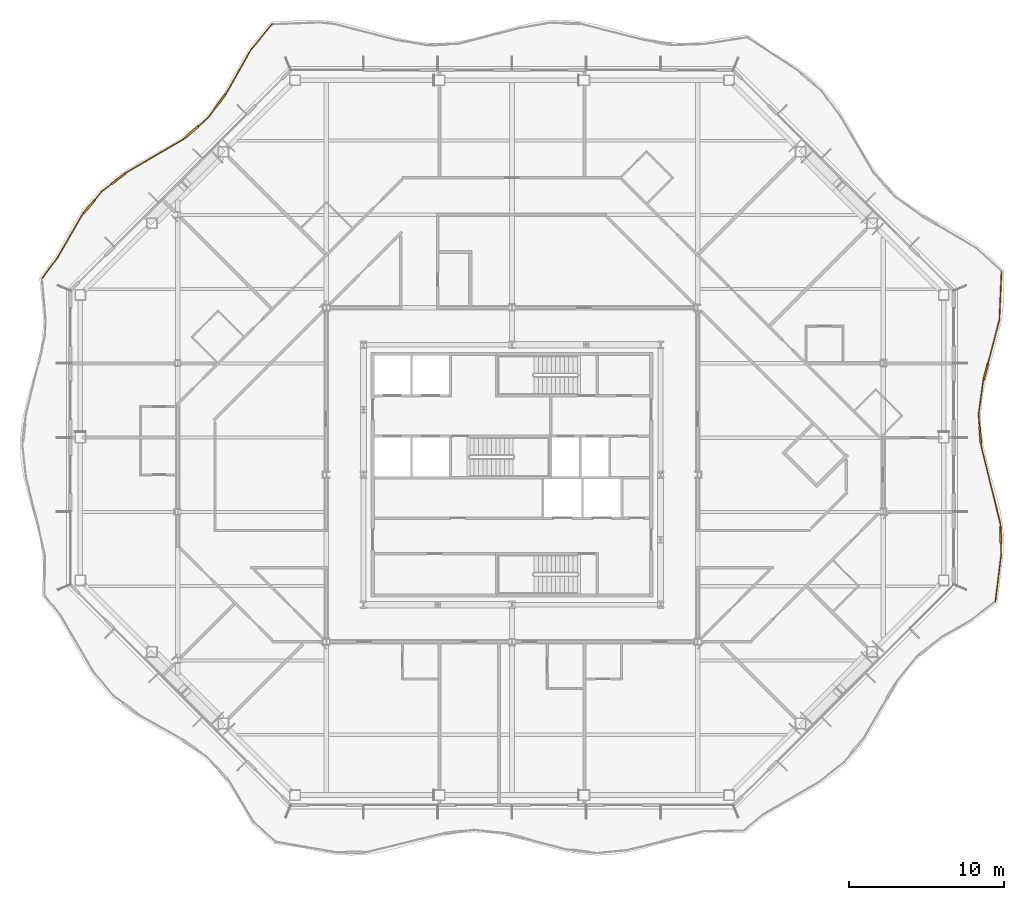
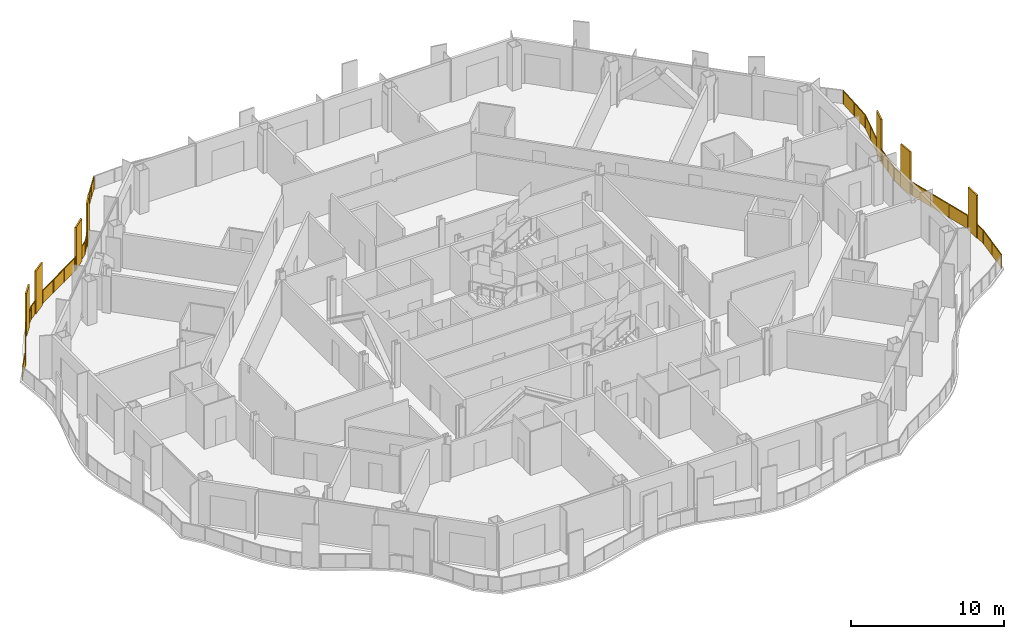
# One storey, part 19 of 21: 2 railings.
"""IFC4 building model written with IfcOpenShell, lengths in metres."""

from ifc_helpers import new_model, si_unit, direction, frame, origin, origin_2d, place, context, subcontext, project, spatial, polyline, rectangle, outline, extrude, material, type_object, element, save


model = new_model("IFC4")

# Units and contexts
model_context = context("Model", 3, precision=1e-05, world=origin(), true_north=direction((0.0, 1.0)))
body_context = subcontext(model_context, "Body", "Model", "MODEL_VIEW")
ifc_project = project(units=[si_unit("LENGTHUNIT", "METRE"), si_unit("AREAUNIT", "SQUARE_METRE"), si_unit("VOLUMEUNIT", "CUBIC_METRE"), si_unit("PLANEANGLEUNIT", "RADIAN"), si_unit("MASSUNIT", "GRAM", prefix="KILO")], contexts=[model_context])

# Site, building, storey
site_placement = place(None, origin())
site = spatial("IfcSite", under=ifc_project, at=site_placement, CompositionType="ELEMENT")
building_placement = place(site_placement, origin())
building = spatial("IfcBuilding", under=site, at=building_placement, Name="Cairn Pilgrim Tower", CompositionType="ELEMENT")
storey_placement = place(building_placement, frame((0.0, 0.0, 132.60009765625)))
storey = spatial("IfcBuildingStorey", under=building, at=storey_placement, Name="L32", CompositionType="ELEMENT", Elevation=132.60009765625)

# Railings
ifc_material = material(Name="Bronze anodised aluminium rail, posts and fin screens with laminated glass infill", Category="aluminium")
railing_type = type_object("IfcRailingType", Name="BALCONY GUARD WITH FIN SCREENS", PredefinedType="GUARDRAIL", material=ifc_material)
railing_1_placement = place(storey_placement, frame((38.440185546875, -5.787841796875, 0.0)))
element("IfcRailing", 1, at=railing_1_placement, inside=storey, type_object=railing_type, Name="Balcony guard BGF-3 with fin screens", PredefinedType="GUARDRAIL", context=body_context, shape_type="SweptSolid", body=[
    extrude(rectangle(XDim=0.050048828125, YDim=0.050048828125, at=origin_2d()), frame((0.0, 0.0, 1.0751953125), z_axis=(0.122264769297, 0.992497519487, 0.0), x_axis=(-0.992497519487, 0.122264769297, 0.0)), (0.0, 0.0, 1.0), 3.0390625),
    extrude(rectangle(XDim=1.10009765625, YDim=0.110107421875, at=origin_2d()), frame((0.343017578125, 4.310302734375, 0.0), z_axis=(0.0, 0.0, 1.0), x_axis=(-0.022037262675, 0.999757150039, 0.0)), (0.0, 0.0, 1.0), 3.39990234375),
    extrude(rectangle(XDim=0.050048828125, YDim=0.050048828125, at=origin_2d()), frame((0.37158203125, 3.016357421875, 1.0751953125), z_axis=(-0.022037262675, 0.999757150039, 0.0), x_axis=(-0.999757150039, -0.022037262675, 0.0)), (0.0, 0.0, 1.0), 0.744140625),
    extrude(rectangle(XDim=0.050048828125, YDim=0.050048828125, at=origin_2d()), frame((0.3310546875, 4.860107421875, 1.0751953125), z_axis=(-0.022037262675, 0.999757150039, 0.0), x_axis=(-0.999757150039, -0.022037262675, 0.0)), (0.0, 0.0, 1.0), 0.14990234375),
    extrude(rectangle(XDim=0.050048828125, YDim=0.050048828125, at=origin_2d()), frame((0.32763671875, 5.010009765625, 1.0751953125), z_axis=(-0.239949877031, 0.970785278274, 0.0), x_axis=(-0.970785278274, -0.239949877031, 0.0)), (0.0, 0.0, 1.0), 5.2001953125),
    extrude(rectangle(XDim=1.10009765625, YDim=0.110107421875, at=origin_2d()), frame((-0.976806640625, 10.756103515625, 0.0), z_axis=(0.0, 0.0, 1.0), x_axis=(-0.08085412376, 0.996725945619, 0.0)), (0.0, 0.0, 1.0), 3.39990234375),
    extrude(rectangle(XDim=0.050048828125, YDim=0.050048828125, at=origin_2d()), frame((-0.920166015625, 10.058349609375, 1.0751953125), z_axis=(-0.08085412376, 0.996725945619, 0.0), x_axis=(-0.996725945619, -0.08085412376, 0.0)), (0.0, 0.0, 1.0), 0.150146484375),
    extrude(rectangle(XDim=0.050048828125, YDim=0.050048828125, at=origin_2d()), frame((-1.021240234375, 11.30419921875, 1.0751953125), z_axis=(-0.08085412376, 0.996725945619, 0.0), x_axis=(-0.996725945619, -0.08085412376, 0.0)), (0.0, 0.0, 1.0), 0.80615234375),
    extrude(rectangle(XDim=0.050048828125, YDim=0.050048828125, at=origin_2d()), frame((-1.08642578125, 12.10791015625, 1.0751953125), z_axis=(0.137912964875, 0.990444351854, 0.0), x_axis=(-0.990444351854, 0.137912964875, 0.0)), (0.0, 0.0, 1.0), 2.06591796875),
    extrude(rectangle(XDim=1.10009765625, YDim=0.110107421875, at=origin_2d()), frame((-0.620361328125, 14.8447265625, 0.0), z_axis=(0.0, 0.0, 1.0), x_axis=(0.253850909993, 0.967243358983, 0.0)), (0.0, 0.0, 1.0), 3.39990234375),
    extrude(rectangle(XDim=0.050048828125, YDim=0.050048828125, at=origin_2d()), frame((-0.801513671875, 14.154052734375, 1.0751953125), z_axis=(0.253850909993, 0.967243358983, 0.0), x_axis=(-0.967243358983, 0.253850909993, 0.0)), (0.0, 0.0, 1.0), 0.1640625),
    extrude(rectangle(XDim=0.050048828125, YDim=0.050048828125, at=origin_2d()), frame((-0.480712890625, 15.376708984375, 1.0751953125), z_axis=(0.253850909993, 0.967243358983, 0.0), x_axis=(-0.967243358983, 0.253850909993, 0.0)), (0.0, 0.0, 1.0), 2.908203125),
    extrude(rectangle(XDim=0.050048828125, YDim=0.050048828125, at=origin_2d()), frame((0.257568359375, 18.189453125, 1.0751953125), z_axis=(0.044558662059, 0.999006769564, 0.0), x_axis=(-0.999006769564, 0.044558662059, 0.0)), (0.0, 0.0, 1.0), 3.11767578125),
    extrude(rectangle(XDim=0.050048828125, YDim=0.050048828125, at=origin_2d()), origin(), (0.0, 0.0, 1.0), 1.050048828125),
    extrude(rectangle(XDim=0.050048828125, YDim=0.050048828125, at=origin_2d()), frame((0.185791015625, 1.50830078125, 0.0)), (0.0, 0.0, 1.0), 1.050048828125),
    extrude(rectangle(XDim=0.050048828125, YDim=0.050048828125, at=origin_2d()), frame((0.37158203125, 3.016357421875, 0.0)), (0.0, 0.0, 1.0), 1.050048828125),
    extrude(rectangle(XDim=0.050048828125, YDim=0.050048828125, at=origin_2d()), frame((0.355712890625, 3.7353515625, 0.0)), (0.0, 0.0, 1.0), 1.050048828125),
    extrude(rectangle(XDim=0.050048828125, YDim=0.050048828125, at=origin_2d()), frame((0.330322265625, 4.88525390625, 0.0)), (0.0, 0.0, 1.0), 1.050048828125),
    extrude(rectangle(XDim=0.050048828125, YDim=0.050048828125, at=origin_2d()), frame((0.32763671875, 5.010009765625, 0.0)), (0.0, 0.0, 1.0), 1.050048828125),
    extrude(rectangle(XDim=0.050048828125, YDim=0.050048828125, at=origin_2d()), frame((-0.08837890625, 6.69287109375, 0.0)), (0.0, 0.0, 1.0), 1.050048828125),
    extrude(rectangle(XDim=0.050048828125, YDim=0.050048828125, at=origin_2d()), frame((-0.504150390625, 8.37548828125, 0.0)), (0.0, 0.0, 1.0), 1.050048828125),
    extrude(rectangle(XDim=0.050048828125, YDim=0.050048828125, at=origin_2d()), frame((-0.920166015625, 10.058349609375, 0.0)), (0.0, 0.0, 1.0), 1.050048828125),
    extrude(rectangle(XDim=0.050048828125, YDim=0.050048828125, at=origin_2d()), frame((-0.93017578125, 10.182861328125, 0.0)), (0.0, 0.0, 1.0), 1.050048828125),
    extrude(rectangle(XDim=0.050048828125, YDim=0.050048828125, at=origin_2d()), frame((-1.023193359375, 11.329345703125, 0.0)), (0.0, 0.0, 1.0), 1.050048828125),
    extrude(rectangle(XDim=0.050048828125, YDim=0.050048828125, at=origin_2d()), frame((-1.08642578125, 12.10791015625, 0.0)), (0.0, 0.0, 1.0), 1.050048828125),
    extrude(rectangle(XDim=0.050048828125, YDim=0.050048828125, at=origin_2d()), frame((-0.94384765625, 13.130859375, 0.0)), (0.0, 0.0, 1.0), 1.050048828125),
    extrude(rectangle(XDim=0.050048828125, YDim=0.050048828125, at=origin_2d()), frame((-0.801513671875, 14.154052734375, 0.0)), (0.0, 0.0, 1.0), 1.050048828125),
    extrude(rectangle(XDim=0.050048828125, YDim=0.050048828125, at=origin_2d()), frame((-0.766357421875, 14.288330078125, 0.0)), (0.0, 0.0, 1.0), 1.050048828125),
    extrude(rectangle(XDim=0.050048828125, YDim=0.050048828125, at=origin_2d()), frame((-0.474365234375, 15.40087890625, 0.0)), (0.0, 0.0, 1.0), 1.050048828125),
    extrude(rectangle(XDim=0.050048828125, YDim=0.050048828125, at=origin_2d()), frame((-0.1083984375, 16.795166015625, 0.0)), (0.0, 0.0, 1.0), 1.050048828125),
    extrude(rectangle(XDim=0.050048828125, YDim=0.050048828125, at=origin_2d()), frame((0.257568359375, 18.189453125, 0.0)), (0.0, 0.0, 1.0), 1.050048828125),
    extrude(rectangle(XDim=0.050048828125, YDim=0.050048828125, at=origin_2d()), frame((0.3271484375, 19.74658203125, 0.0)), (0.0, 0.0, 1.0), 1.050048828125),
    extrude(rectangle(XDim=0.050048828125, YDim=0.050048828125, at=origin_2d()), frame((0.396484375, 21.303955078125, 0.0)), (0.0, 0.0, 1.0), 1.050048828125),
    extrude(outline(polyline([(0.02490234375, 0.0), (1.49462890625, 0.0), (1.49462890625, 1.050048828125), (0.02490234375, 1.050048828125), (0.02490234375, 0.0)])), frame((-0.005859375, 0.000732421875, 0.0), z_axis=(0.992497519487, -0.122264769297, 0.0), x_axis=(0.122264769297, 0.992497519487, 0.0)), (0.0, 0.0, 1.0), 0.011962890625),
    extrude(outline(polyline([(0.02490234375, 0.0), (1.49462890625, 0.0), (1.49462890625, 1.050048828125), (0.02490234375, 1.050048828125), (0.02490234375, 0.0)])), frame((0.179931640625, 1.5087890625, 0.0), z_axis=(0.992497519487, -0.122264769297, 0.0), x_axis=(0.122264769297, 0.992497519487, 0.0)), (0.0, 0.0, 1.0), 0.011962890625),
    extrude(outline(polyline([(0.02490234375, 0.0), (0.694091796875, 0.0), (0.694091796875, 1.050048828125), (0.02490234375, 1.050048828125), (0.02490234375, 0.0)])), frame((0.36572265625, 3.01611328125, 0.0), z_axis=(0.999757150039, 0.022037262675, 0.0), x_axis=(-0.022037262675, 0.999757150039, 0.0)), (0.0, 0.0, 1.0), 0.011962890625),
    extrude(outline(polyline([(0.02490234375, 0.0), (0.099853515625, 0.0), (0.099853515625, 1.050048828125), (0.02490234375, 1.050048828125), (0.02490234375, 0.0)])), frame((0.324462890625, 4.885009765625, 0.0), z_axis=(0.999757150039, 0.022037262675, 0.0), x_axis=(-0.022037262675, 0.999757150039, 0.0)), (0.0, 0.0, 1.0), 0.011962890625),
    extrude(outline(polyline([(0.02490234375, 0.0), (1.70849609375, 0.0), (1.70849609375, 1.050048828125), (0.02490234375, 1.050048828125), (0.02490234375, 0.0)])), frame((0.32177734375, 5.008544921875, 0.0), z_axis=(0.970785278274, 0.239949877031, 0.0), x_axis=(-0.239949877031, 0.970785278274, 0.0)), (0.0, 0.0, 1.0), 0.011962890625),
    extrude(outline(polyline([(0.02490234375, 0.0), (1.70849609375, 0.0), (1.70849609375, 1.050048828125), (0.02490234375, 1.050048828125), (0.02490234375, 0.0)])), frame((-0.093994140625, 6.69140625, 0.0), z_axis=(0.970785278274, 0.239949877031, 0.0), x_axis=(-0.239949877031, 0.970785278274, 0.0)), (0.0, 0.0, 1.0), 0.011962890625),
    extrude(outline(polyline([(0.02490234375, 0.0), (1.70849609375, 0.0), (1.70849609375, 1.050048828125), (0.02490234375, 1.050048828125), (0.02490234375, 0.0)])), frame((-0.510009765625, 8.3740234375, 0.0), z_axis=(0.970785278274, 0.239949877031, 0.0), x_axis=(-0.239949877031, 0.970785278274, 0.0)), (0.0, 0.0, 1.0), 0.011962890625),
    extrude(outline(polyline([(0.02490234375, 0.0), (0.10009765625, 0.0), (0.10009765625, 1.050048828125), (0.02490234375, 1.050048828125), (0.02490234375, 0.0)])), frame((-0.926025390625, 10.057861328125, 0.0), z_axis=(0.996725945619, 0.08085412376, 0.0), x_axis=(-0.08085412376, 0.996725945619, 0.0)), (0.0, 0.0, 1.0), 0.011962890625),
    extrude(outline(polyline([(0.02490234375, 0.0), (0.756103515625, 0.0), (0.756103515625, 1.050048828125), (0.02490234375, 1.050048828125), (0.02490234375, 0.0)])), frame((-1.029296875, 11.328857421875, 0.0), z_axis=(0.996725945619, 0.08085412376, 0.0), x_axis=(-0.08085412376, 0.996725945619, 0.0)), (0.0, 0.0, 1.0), 0.011962890625),
    extrude(outline(polyline([(0.02490234375, 0.0), (1.0078125, 0.0), (1.0078125, 1.050048828125), (0.02490234375, 1.050048828125), (0.02490234375, 0.0)])), frame((-1.09228515625, 12.108642578125, 0.0), z_axis=(0.990444351854, -0.137912964875, 0.0), x_axis=(0.137912964875, 0.990444351854, 0.0)), (0.0, 0.0, 1.0), 0.011962890625),
    extrude(outline(polyline([(0.02490234375, 0.0), (1.0078125, 0.0), (1.0078125, 1.050048828125), (0.02490234375, 1.050048828125), (0.02490234375, 0.0)])), frame((-0.949951171875, 13.1318359375, 0.0), z_axis=(0.990444351854, -0.137912964875, 0.0), x_axis=(0.137912964875, 0.990444351854, 0.0)), (0.0, 0.0, 1.0), 0.011962890625),
    extrude(outline(polyline([(0.02490234375, 0.0), (0.114013671875, 0.0), (0.114013671875, 1.050048828125), (0.02490234375, 1.050048828125), (0.02490234375, 0.0)])), frame((-0.807373046875, 14.155517578125, 0.0), z_axis=(0.967243358983, -0.253850909993, 0.0), x_axis=(0.253850909993, 0.967243358983, 0.0)), (0.0, 0.0, 1.0), 0.011962890625),
    extrude(outline(polyline([(0.02490234375, 0.0), (1.41650390625, 0.0), (1.41650390625, 1.050048828125), (0.02490234375, 1.050048828125), (0.02490234375, 0.0)])), frame((-0.47998046875, 15.40234375, 0.0), z_axis=(0.967243358983, -0.253850909993, 0.0), x_axis=(0.253850909993, 0.967243358983, 0.0)), (0.0, 0.0, 1.0), 0.011962890625),
    extrude(outline(polyline([(0.02490234375, 0.0), (1.41650390625, 0.0), (1.41650390625, 1.050048828125), (0.02490234375, 1.050048828125), (0.02490234375, 0.0)])), frame((-0.1142578125, 16.796630859375, 0.0), z_axis=(0.967243358983, -0.253850909993, 0.0), x_axis=(0.253850909993, 0.967243358983, 0.0)), (0.0, 0.0, 1.0), 0.011962890625),
    extrude(outline(polyline([(0.02490234375, 0.0), (1.53369140625, 0.0), (1.53369140625, 1.050048828125), (0.02490234375, 1.050048828125), (0.02490234375, 0.0)])), frame((0.251708984375, 18.189697265625, 0.0), z_axis=(0.999006769564, -0.044558662059, 0.0), x_axis=(0.044558662059, 0.999006769564, 0.0)), (0.0, 0.0, 1.0), 0.011962890625),
    extrude(outline(polyline([(0.02490234375, 0.0), (1.53369140625, 0.0), (1.53369140625, 1.050048828125), (0.02490234375, 1.050048828125), (0.02490234375, 0.0)])), frame((0.321044921875, 19.7470703125, 0.0), z_axis=(0.999006769564, -0.044558662059, 0.0), x_axis=(0.044558662059, 0.999006769564, 0.0)), (0.0, 0.0, 1.0), 0.011962890625),
])
railing_2_placement = place(storey_placement, frame((-8.3154296875, 31.521484375, 0.0)))
element("IfcRailing", 2, at=railing_2_placement, inside=storey, type_object=railing_type, Name="Balcony guard BGF-6 with fin screens", PredefinedType="GUARDRAIL", context=body_context, shape_type="SweptSolid", body=[
    extrude(rectangle(XDim=0.050048828125, YDim=0.050048828125, at=origin_2d()), frame((0.0, 0.0, 1.0751953125), z_axis=(-0.635587081674, -0.772029184428, 0.0), x_axis=(0.772029184428, -0.635587081674, 0.0)), (0.0, 0.0, 1.0), 2.136474609375),
    extrude(rectangle(XDim=0.050048828125, YDim=0.050048828125, at=origin_2d()), frame((-1.35791015625, -1.6494140625, 1.0751953125), z_axis=(-0.492613647027, -0.870248122527, 0.0), x_axis=(0.870248122527, -0.492613647027, 0.0)), (0.0, 0.0, 1.0), 3.166015625),
    extrude(rectangle(XDim=1.10009765625, YDim=0.110107421875, at=origin_2d()), frame((-3.334716796875, -4.966552734375, 0.0), z_axis=(0.0, 0.0, 1.0), x_axis=(-0.596075972165, -0.802928038748, 0.0)), (0.0, 0.0, 1.0), 3.39990234375),
    extrude(rectangle(XDim=0.050048828125, YDim=0.050048828125, at=origin_2d()), frame((-2.91748046875, -4.404541015625, 1.0751953125), z_axis=(-0.596075972165, -0.802928038748, 0.0), x_axis=(0.802928038748, -0.596075972165, 0.0)), (0.0, 0.0, 1.0), 0.14990234375),
    extrude(rectangle(XDim=0.050048828125, YDim=0.050048828125, at=origin_2d()), frame((-3.66259765625, -5.408203125, 1.0751953125), z_axis=(-0.596075972165, -0.802928038748, 0.0), x_axis=(0.802928038748, -0.596075972165, 0.0)), (0.0, 0.0, 1.0), 0.834228515625),
    extrude(rectangle(XDim=1.10009765625, YDim=0.110107421875, at=origin_2d()), frame((-5.198486328125, -6.97509765625, 0.0), z_axis=(0.0, 0.0, 1.0), x_axis=(-0.756823007769, -0.653619870346, 0.0)), (0.0, 0.0, 1.0), 3.39990234375),
    extrude(rectangle(XDim=0.050048828125, YDim=0.050048828125, at=origin_2d()), frame((-4.159912109375, -6.078125, 1.0751953125), z_axis=(-0.756823007769, -0.653619870346, 0.0), x_axis=(0.653619870346, -0.756823007769, 0.0)), (0.0, 0.0, 1.0), 0.822265625),
    extrude(rectangle(XDim=0.050048828125, YDim=0.050048828125, at=origin_2d()), frame((-5.61474609375, -7.334716796875, 1.0751953125), z_axis=(-0.756823007769, -0.653619870346, 0.0), x_axis=(0.653619870346, -0.756823007769, 0.0)), (0.0, 0.0, 1.0), 0.14990234375),
    extrude(rectangle(XDim=0.050048828125, YDim=0.050048828125, at=origin_2d()), frame((-5.728271484375, -7.4326171875, 1.0751953125), z_axis=(-0.86343419487, -0.50446148627, 0.0), x_axis=(0.50446148627, -0.86343419487, 0.0)), (0.0, 0.0, 1.0), 4.21533203125),
    extrude(rectangle(XDim=1.10009765625, YDim=0.110107421875, at=origin_2d()), frame((-9.924072265625, -9.984130859375, 0.0), z_axis=(0.0, 0.0, 1.0), x_axis=(-0.794508106718, -0.607253545365, 0.0)), (0.0, 0.0, 1.0), 3.39990234375),
    extrude(rectangle(XDim=0.050048828125, YDim=0.050048828125, at=origin_2d()), frame((-9.367919921875, -9.55908203125, 1.0751953125), z_axis=(-0.794508106718, -0.607253545365, 0.0), x_axis=(0.607253545365, -0.794508106718, 0.0)), (0.0, 0.0, 1.0), 0.150146484375),
    extrude(rectangle(XDim=0.050048828125, YDim=0.050048828125, at=origin_2d()), frame((-10.361083984375, -10.318115234375, 1.0751953125), z_axis=(-0.794508106718, -0.607253545365, 0.0), x_axis=(0.607253545365, -0.794508106718, 0.0)), (0.0, 0.0, 1.0), 0.778564453125),
    extrude(rectangle(XDim=1.10009765625, YDim=0.110107421875, at=origin_2d()), frame((-11.8232421875, -11.799560546875, 0.0), z_axis=(0.0, 0.0, 1.0), x_axis=(-0.641613534435, -0.767028077993, 0.0)), (0.0, 0.0, 1.0), 3.39990234375),
    extrude(rectangle(XDim=0.050048828125, YDim=0.050048828125, at=origin_2d()), frame((-10.979736328125, -10.791015625, 1.0751953125), z_axis=(-0.641613534435, -0.767028077993, 0.0), x_axis=(0.767028077993, -0.641613534435, 0.0)), (0.0, 0.0, 1.0), 0.7646484375),
    extrude(rectangle(XDim=0.050048828125, YDim=0.050048828125, at=origin_2d()), frame((-12.17626953125, -12.221435546875, 1.0751953125), z_axis=(-0.641613534435, -0.767028077993, 0.0), x_axis=(0.767028077993, -0.641613534435, 0.0)), (0.0, 0.0, 1.0), 0.150146484375),
    extrude(rectangle(XDim=0.050048828125, YDim=0.050048828125, at=origin_2d()), frame((-12.2724609375, -12.33642578125, 1.0751953125), z_axis=(-0.499905356512, -0.866080039333, 0.0), x_axis=(0.866080039333, -0.499905356512, 0.0)), (0.0, 0.0, 1.0), 3.158203125),
    extrude(rectangle(XDim=0.050048828125, YDim=0.050048828125, at=origin_2d()), frame((-13.851318359375, -15.07177734375, 1.0751953125), z_axis=(-0.597012983805, -0.802231573281, 0.0), x_axis=(0.802231573281, -0.597012983805, 0.0)), (0.0, 0.0, 1.0), 1.650146484375),
    extrude(rectangle(XDim=0.050048828125, YDim=0.050048828125, at=origin_2d()), origin(), (0.0, 0.0, 1.0), 1.050048828125),
    extrude(rectangle(XDim=0.050048828125, YDim=0.050048828125, at=origin_2d()), frame((-0.678955078125, -0.82470703125, 0.0)), (0.0, 0.0, 1.0), 1.050048828125),
    extrude(rectangle(XDim=0.050048828125, YDim=0.050048828125, at=origin_2d()), frame((-1.35791015625, -1.6494140625, 0.0)), (0.0, 0.0, 1.0), 1.050048828125),
    extrude(rectangle(XDim=0.050048828125, YDim=0.050048828125, at=origin_2d()), frame((-2.1376953125, -3.02685546875, 0.0)), (0.0, 0.0, 1.0), 1.050048828125),
    extrude(rectangle(XDim=0.050048828125, YDim=0.050048828125, at=origin_2d()), frame((-2.91748046875, -4.404541015625, 0.0)), (0.0, 0.0, 1.0), 1.050048828125),
    extrude(rectangle(XDim=0.050048828125, YDim=0.050048828125, at=origin_2d()), frame((-2.991943359375, -4.5048828125, 0.0)), (0.0, 0.0, 1.0), 1.050048828125),
    extrude(rectangle(XDim=0.050048828125, YDim=0.050048828125, at=origin_2d()), frame((-3.677490234375, -5.42822265625, 0.0)), (0.0, 0.0, 1.0), 1.050048828125),
    extrude(rectangle(XDim=0.050048828125, YDim=0.050048828125, at=origin_2d()), frame((-4.159912109375, -6.078125, 0.0)), (0.0, 0.0, 1.0), 1.050048828125),
    extrude(rectangle(XDim=0.050048828125, YDim=0.050048828125, at=origin_2d()), frame((-4.763427734375, -6.599365234375, 0.0)), (0.0, 0.0, 1.0), 1.050048828125),
    extrude(rectangle(XDim=0.050048828125, YDim=0.050048828125, at=origin_2d()), frame((-5.6337890625, -7.35107421875, 0.0)), (0.0, 0.0, 1.0), 1.050048828125),
    extrude(rectangle(XDim=0.050048828125, YDim=0.050048828125, at=origin_2d()), frame((-5.728271484375, -7.4326171875, 0.0)), (0.0, 0.0, 1.0), 1.050048828125),
    extrude(rectangle(XDim=0.050048828125, YDim=0.050048828125, at=origin_2d()), frame((-6.94140625, -8.141357421875, 0.0)), (0.0, 0.0, 1.0), 1.050048828125),
    extrude(rectangle(XDim=0.050048828125, YDim=0.050048828125, at=origin_2d()), frame((-8.15478515625, -8.850341796875, 0.0)), (0.0, 0.0, 1.0), 1.050048828125),
    extrude(rectangle(XDim=0.050048828125, YDim=0.050048828125, at=origin_2d()), frame((-9.367919921875, -9.55908203125, 0.0)), (0.0, 0.0, 1.0), 1.050048828125),
    extrude(rectangle(XDim=0.050048828125, YDim=0.050048828125, at=origin_2d()), frame((-9.46728515625, -9.635009765625, 0.0)), (0.0, 0.0, 1.0), 1.050048828125),
    extrude(rectangle(XDim=0.050048828125, YDim=0.050048828125, at=origin_2d()), frame((-10.381103515625, -10.33349609375, 0.0)), (0.0, 0.0, 1.0), 1.050048828125),
    extrude(rectangle(XDim=0.050048828125, YDim=0.050048828125, at=origin_2d()), frame((-10.979736328125, -10.791015625, 0.0)), (0.0, 0.0, 1.0), 1.050048828125),
    extrude(rectangle(XDim=0.050048828125, YDim=0.050048828125, at=origin_2d()), frame((-11.454345703125, -11.3583984375, 0.0)), (0.0, 0.0, 1.0), 1.050048828125),
    extrude(rectangle(XDim=0.050048828125, YDim=0.050048828125, at=origin_2d()), frame((-12.192138671875, -12.240478515625, 0.0)), (0.0, 0.0, 1.0), 1.050048828125),
    extrude(rectangle(XDim=0.050048828125, YDim=0.050048828125, at=origin_2d()), frame((-12.2724609375, -12.33642578125, 0.0)), (0.0, 0.0, 1.0), 1.050048828125),
    extrude(rectangle(XDim=0.050048828125, YDim=0.050048828125, at=origin_2d()), frame((-13.06201171875, -13.7041015625, 0.0)), (0.0, 0.0, 1.0), 1.050048828125),
    extrude(rectangle(XDim=0.050048828125, YDim=0.050048828125, at=origin_2d()), frame((-13.851318359375, -15.07177734375, 0.0)), (0.0, 0.0, 1.0), 1.050048828125),
    extrude(rectangle(XDim=0.050048828125, YDim=0.050048828125, at=origin_2d()), frame((-14.83642578125, -16.3955078125, 0.0)), (0.0, 0.0, 1.0), 1.050048828125),
    extrude(outline(polyline([(0.02490234375, 0.0), (1.043212890625, 0.0), (1.043212890625, 1.050048828125), (0.02490234375, 1.050048828125), (0.02490234375, 0.0)])), frame((0.004638671875, -0.00390625, 0.0), z_axis=(-0.772029184428, 0.635587081674, 0.0), x_axis=(-0.635587081674, -0.772029184428, 0.0)), (0.0, 0.0, 1.0), 0.011962890625),
    extrude(outline(polyline([(0.02490234375, 0.0), (1.043212890625, 0.0), (1.043212890625, 1.050048828125), (0.02490234375, 1.050048828125), (0.02490234375, 0.0)])), frame((-0.67431640625, -0.82861328125, 0.0), z_axis=(-0.772029184428, 0.635587081674, 0.0), x_axis=(-0.635587081674, -0.772029184428, 0.0)), (0.0, 0.0, 1.0), 0.011962890625),
    extrude(outline(polyline([(0.02490234375, 0.0), (1.557861328125, 0.0), (1.557861328125, 1.050048828125), (0.02490234375, 1.050048828125), (0.02490234375, 0.0)])), frame((-1.352783203125, -1.65234375, 0.0), z_axis=(-0.870248122527, 0.492613647027, 0.0), x_axis=(-0.492613647027, -0.870248122527, 0.0)), (0.0, 0.0, 1.0), 0.011962890625),
    extrude(outline(polyline([(0.02490234375, 0.0), (1.557861328125, 0.0), (1.557861328125, 1.050048828125), (0.02490234375, 1.050048828125), (0.02490234375, 0.0)])), frame((-2.132568359375, -3.030029296875, 0.0), z_axis=(-0.870248122527, 0.492613647027, 0.0), x_axis=(-0.492613647027, -0.870248122527, 0.0)), (0.0, 0.0, 1.0), 0.011962890625),
    extrude(outline(polyline([(0.02490234375, 0.0), (0.099853515625, 0.0), (0.099853515625, 1.050048828125), (0.02490234375, 1.050048828125), (0.02490234375, 0.0)])), frame((-2.91259765625, -4.408203125, 0.0), z_axis=(-0.802928038748, 0.596075972165, 0.0), x_axis=(-0.596075972165, -0.802928038748, 0.0)), (0.0, 0.0, 1.0), 0.011962890625),
    extrude(outline(polyline([(0.02490234375, 0.0), (0.7841796875, 0.0), (0.7841796875, 1.050048828125), (0.02490234375, 1.050048828125), (0.02490234375, 0.0)])), frame((-3.672607421875, -5.431884765625, 0.0), z_axis=(-0.802928038748, 0.596075972165, 0.0), x_axis=(-0.596075972165, -0.802928038748, 0.0)), (0.0, 0.0, 1.0), 0.011962890625),
    extrude(outline(polyline([(0.02490234375, 0.0), (0.772216796875, 0.0), (0.772216796875, 1.050048828125), (0.02490234375, 1.050048828125), (0.02490234375, 0.0)])), frame((-4.156005859375, -6.082763671875, 0.0), z_axis=(-0.653619870346, 0.756823007769, 0.0), x_axis=(-0.756823007769, -0.653619870346, 0.0)), (0.0, 0.0, 1.0), 0.011962890625),
    extrude(outline(polyline([(0.02490234375, 0.0), (0.099853515625, 0.0), (0.099853515625, 1.050048828125), (0.02490234375, 1.050048828125), (0.02490234375, 0.0)])), frame((-5.6298828125, -7.35546875, 0.0), z_axis=(-0.653619870346, 0.756823007769, 0.0), x_axis=(-0.756823007769, -0.653619870346, 0.0)), (0.0, 0.0, 1.0), 0.011962890625),
    extrude(outline(polyline([(0.02490234375, 0.0), (1.380126953125, 0.0), (1.380126953125, 1.050048828125), (0.02490234375, 1.050048828125), (0.02490234375, 0.0)])), frame((-5.725341796875, -7.437744140625, 0.0), z_axis=(-0.50446148627, 0.86343419487, 0.0), x_axis=(-0.86343419487, -0.50446148627, 0.0)), (0.0, 0.0, 1.0), 0.011962890625),
    extrude(outline(polyline([(0.02490234375, 0.0), (1.380126953125, 0.0), (1.380126953125, 1.050048828125), (0.02490234375, 1.050048828125), (0.02490234375, 0.0)])), frame((-6.9384765625, -8.146484375, 0.0), z_axis=(-0.50446148627, 0.86343419487, 0.0), x_axis=(-0.86343419487, -0.50446148627, 0.0)), (0.0, 0.0, 1.0), 0.011962890625),
    extrude(outline(polyline([(0.02490234375, 0.0), (1.380126953125, 0.0), (1.380126953125, 1.050048828125), (0.02490234375, 1.050048828125), (0.02490234375, 0.0)])), frame((-8.151611328125, -8.85546875, 0.0), z_axis=(-0.50446148627, 0.86343419487, 0.0), x_axis=(-0.86343419487, -0.50446148627, 0.0)), (0.0, 0.0, 1.0), 0.011962890625),
    extrude(outline(polyline([(0.02490234375, 0.0), (0.10009765625, 0.0), (0.10009765625, 1.050048828125), (0.02490234375, 1.050048828125), (0.02490234375, 0.0)])), frame((-9.3642578125, -9.563720703125, 0.0), z_axis=(-0.607253545365, 0.794508106718, 0.0), x_axis=(-0.794508106718, -0.607253545365, 0.0)), (0.0, 0.0, 1.0), 0.011962890625),
    extrude(outline(polyline([(0.02490234375, 0.0), (0.728515625, 0.0), (0.728515625, 1.050048828125), (0.02490234375, 1.050048828125), (0.02490234375, 0.0)])), frame((-10.37744140625, -10.338134765625, 0.0), z_axis=(-0.607253545365, 0.794508106718, 0.0), x_axis=(-0.794508106718, -0.607253545365, 0.0)), (0.0, 0.0, 1.0), 0.011962890625),
    extrude(outline(polyline([(0.02490234375, 0.0), (0.714599609375, 0.0), (0.714599609375, 1.050048828125), (0.02490234375, 1.050048828125), (0.02490234375, 0.0)])), frame((-10.97509765625, -10.794921875, 0.0), z_axis=(-0.767028077993, 0.641613534435, 0.0), x_axis=(-0.641613534435, -0.767028077993, 0.0)), (0.0, 0.0, 1.0), 0.011962890625),
    extrude(outline(polyline([(0.02490234375, 0.0), (0.10009765625, 0.0), (0.10009765625, 1.050048828125), (0.02490234375, 1.050048828125), (0.02490234375, 0.0)])), frame((-12.187744140625, -12.244384765625, 0.0), z_axis=(-0.767028077993, 0.641613534435, 0.0), x_axis=(-0.641613534435, -0.767028077993, 0.0)), (0.0, 0.0, 1.0), 0.011962890625),
    extrude(outline(polyline([(0.02490234375, 0.0), (1.55419921875, 0.0), (1.55419921875, 1.050048828125), (0.02490234375, 1.050048828125), (0.02490234375, 0.0)])), frame((-12.267333984375, -12.33935546875, 0.0), z_axis=(-0.866080039333, 0.499905356512, 0.0), x_axis=(-0.499905356512, -0.866080039333, 0.0)), (0.0, 0.0, 1.0), 0.011962890625),
    extrude(outline(polyline([(0.02490234375, 0.0), (1.55419921875, 0.0), (1.55419921875, 1.050048828125), (0.02490234375, 1.050048828125), (0.02490234375, 0.0)])), frame((-13.056640625, -13.70703125, 0.0), z_axis=(-0.866080039333, 0.499905356512, 0.0), x_axis=(-0.499905356512, -0.866080039333, 0.0)), (0.0, 0.0, 1.0), 0.011962890625),
    extrude(outline(polyline([(0.02490234375, 0.0), (1.625, 0.0), (1.625, 1.050048828125), (0.02490234375, 1.050048828125), (0.02490234375, 0.0)])), frame((-13.846435546875, -15.075439453125, 0.0), z_axis=(-0.802231573281, 0.597012983805, 0.0), x_axis=(-0.597012983805, -0.802231573281, 0.0)), (0.0, 0.0, 1.0), 0.011962890625),
])

save(model, "model.ifc")
